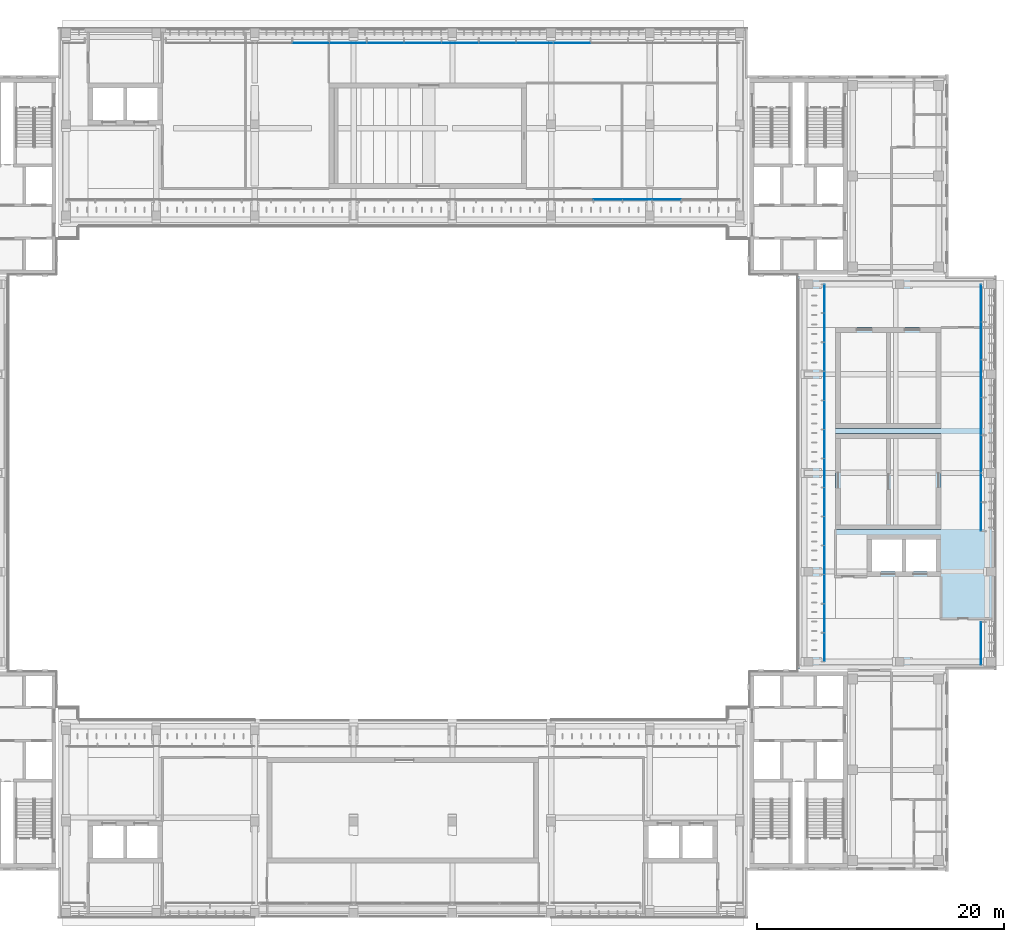
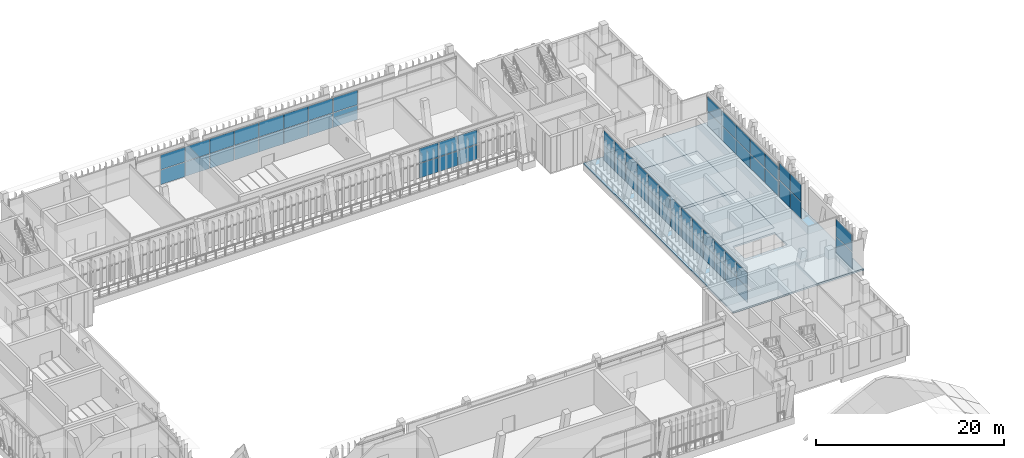
# One storey, part 40 of 74: 64 plates, 3 slabs, 6 elements without a shape of their own.
"""IFC4 building model written with IfcOpenShell, lengths in metres."""

from ifc_helpers import new_model, si_unit, direction, frame, origin, origin_2d, place, context, subcontext, project, spatial, polyline, rectangle, outline, extrude, material, layer, layer_set, type_object, element, aggregate, save


model = new_model("IFC4")

# Units and contexts
model_context = context("Model", 3, precision=1e-05, world=origin(), true_north=direction((0.0, 1.0)))
body_context = subcontext(model_context, "Body", "Model", "MODEL_VIEW")
ifc_project = project(units=[si_unit("LENGTHUNIT", "METRE"), si_unit("AREAUNIT", "SQUARE_METRE"), si_unit("VOLUMEUNIT", "CUBIC_METRE"), si_unit("PLANEANGLEUNIT", "RADIAN"), si_unit("MASSUNIT", "GRAM", prefix="KILO")], contexts=[model_context])

# Site, building, storey
site_placement = place(None, origin())
site = spatial("IfcSite", under=ifc_project, at=site_placement, CompositionType="ELEMENT")
building_placement = place(site_placement, origin())
building = spatial("IfcBuilding", under=site, at=building_placement, Name="Lantern Court Media Centre", CompositionType="ELEMENT")
storey_placement = place(building_placement, frame((0.0, 0.0, 19.199951171875)))
storey = spatial("IfcBuildingStorey", under=building, at=storey_placement, Name="L04", CompositionType="ELEMENT", Elevation=19.199951171875)

# Curtain wall, plates
ifc_material_1 = material(Name="Curtain wall bay 2400")
curtain_wall_type_1 = type_object("IfcCurtainWallType", Name="Curtain wall bay 2400", PredefinedType="NOTDEFINED", material=ifc_material_1)
curtain_wall_1_placement = place(storey_placement, origin())
curtain_wall_1 = element("IfcCurtainWall", 1, at=curtain_wall_1_placement, inside=storey, type_object=curtain_wall_type_1, Name="Curtain wall N inner L04", PredefinedType="NOTDEFINED")
ifc_material_2 = material(Name="Low-iron double glazed unit glass", Category="glass")
ifc_layer_1 = layer(ifc_material_2, 0.02392578125)
ifc_layer_set_1 = layer_set([ifc_layer_1], Name="Low-iron double glazed unit glass")
plate_type_1 = type_object("IfcPlateType", Name="Curtain wall glazing unit 24", PredefinedType="CURTAIN_PANEL", material=ifc_layer_set_1)
plate_1_placement = place(storey_placement, frame((68.617431640625, 102.14990234375, 0.050048828125), z_axis=(0.0, 0.0, 1.0), x_axis=(1.0, 0.0, 0.0)))
plate_1 = element("IfcPlate", 2, at=plate_1_placement, type_object=plate_type_1, Name="CW2 panel 19.1", PredefinedType="CURTAIN_PANEL", context=body_context, shape_type="SweptSolid", body=[
    extrude(rectangle(XDim=2.323974609375, YDim=0.02392578125, at=origin_2d()), origin(), (0.0, 0.0, 1.0), 1.89990234375),
])
plate_2_placement = place(storey_placement, frame((68.617431640625, 102.14990234375, 2.0), z_axis=(0.0, 0.0, 1.0), x_axis=(1.0, 0.0, 0.0)))
plate_2 = element("IfcPlate", 3, at=plate_2_placement, type_object=plate_type_1, Name="CW2 panel 19.2", PredefinedType="CURTAIN_PANEL", context=body_context, shape_type="SweptSolid", body=[
    extrude(rectangle(XDim=2.323974609375, YDim=0.02392578125, at=origin_2d()), origin(), (0.0, 0.0, 1.0), 1.89990234375),
])
plate_3_placement = place(storey_placement, frame((70.9912109375, 102.14990234375, 0.050048828125), z_axis=(0.0, 0.0, 1.0), x_axis=(1.0, 0.0, 0.0)))
plate_3 = element("IfcPlate", 4, at=plate_3_placement, type_object=plate_type_1, Name="CW2 panel 20.1", PredefinedType="CURTAIN_PANEL", context=body_context, shape_type="SweptSolid", body=[
    extrude(rectangle(XDim=2.323974609375, YDim=0.02392578125, at=origin_2d()), origin(), (0.0, 0.0, 1.0), 1.89990234375),
])
plate_4_placement = place(storey_placement, frame((70.9912109375, 102.14990234375, 2.0), z_axis=(0.0, 0.0, 1.0), x_axis=(1.0, 0.0, 0.0)))
plate_4 = element("IfcPlate", 5, at=plate_4_placement, type_object=plate_type_1, Name="CW2 panel 20.2", PredefinedType="CURTAIN_PANEL", context=body_context, shape_type="SweptSolid", body=[
    extrude(rectangle(XDim=2.323974609375, YDim=0.02392578125, at=origin_2d()), origin(), (0.0, 0.0, 1.0), 1.89990234375),
])
plate_5_placement = place(storey_placement, frame((73.365234375, 102.14990234375, 0.050048828125), z_axis=(0.0, 0.0, 1.0), x_axis=(1.0, 0.0, 0.0)))
plate_5 = element("IfcPlate", 6, at=plate_5_placement, type_object=plate_type_1, Name="CW2 panel 21.1", PredefinedType="CURTAIN_PANEL", context=body_context, shape_type="SweptSolid", body=[
    extrude(rectangle(XDim=2.323974609375, YDim=0.02392578125, at=origin_2d()), origin(), (0.0, 0.0, 1.0), 1.89990234375),
])
plate_6_placement = place(storey_placement, frame((73.365234375, 102.14990234375, 2.0), z_axis=(0.0, 0.0, 1.0), x_axis=(1.0, 0.0, 0.0)))
plate_6 = element("IfcPlate", 7, at=plate_6_placement, type_object=plate_type_1, Name="CW2 panel 21.2", PredefinedType="CURTAIN_PANEL", context=body_context, shape_type="SweptSolid", body=[
    extrude(rectangle(XDim=2.323974609375, YDim=0.02392578125, at=origin_2d()), origin(), (0.0, 0.0, 1.0), 1.89990234375),
])
aggregate(curtain_wall_1, [plate_1, plate_2, plate_3, plate_4, plate_5, plate_6])

curtain_wall_2_placement = place(storey_placement, origin())
curtain_wall_2 = element("IfcCurtainWall", 8, at=curtain_wall_2_placement, inside=storey, type_object=curtain_wall_type_1, Name="Curtain wall E inner L04", PredefinedType="NOTDEFINED")
plate_7_placement = place(storey_placement, frame((86.14990234375, 65.889404296875, 0.050048828125), z_axis=(0.0, 0.0, 1.0), x_axis=(0.0, 1.0, 0.0)))
plate_7 = element("IfcPlate", 9, at=plate_7_placement, type_object=plate_type_1, Name="CW2 panel 1.1", PredefinedType="CURTAIN_PANEL", context=body_context, shape_type="SweptSolid", body=[
    extrude(rectangle(XDim=2.27880859375, YDim=0.02392578125, at=origin_2d()), origin(), (0.0, 0.0, 1.0), 1.89990234375),
])
plate_8_placement = place(storey_placement, frame((86.14990234375, 65.889404296875, 2.0), z_axis=(0.0, 0.0, 1.0), x_axis=(0.0, 1.0, 0.0)))
plate_8 = element("IfcPlate", 10, at=plate_8_placement, type_object=plate_type_1, Name="CW2 panel 1.2", PredefinedType="CURTAIN_PANEL", context=body_context, shape_type="SweptSolid", body=[
    extrude(rectangle(XDim=2.27880859375, YDim=0.02392578125, at=origin_2d()), origin(), (0.0, 0.0, 1.0), 1.89990234375),
])
plate_9_placement = place(storey_placement, frame((86.14990234375, 68.230712890625, 0.050048828125), z_axis=(0.0, 0.0, 1.0), x_axis=(0.0, 1.0, 0.0)))
plate_9 = element("IfcPlate", 11, at=plate_9_placement, type_object=plate_type_1, Name="CW2 panel 2.1", PredefinedType="CURTAIN_PANEL", context=body_context, shape_type="SweptSolid", body=[
    extrude(rectangle(XDim=2.303955078125, YDim=0.02392578125, at=origin_2d()), origin(), (0.0, 0.0, 1.0), 1.89990234375),
])
plate_10_placement = place(storey_placement, frame((86.14990234375, 68.230712890625, 2.0), z_axis=(0.0, 0.0, 1.0), x_axis=(0.0, 1.0, 0.0)))
plate_10 = element("IfcPlate", 12, at=plate_10_placement, type_object=plate_type_1, Name="CW2 panel 2.2", PredefinedType="CURTAIN_PANEL", context=body_context, shape_type="SweptSolid", body=[
    extrude(rectangle(XDim=2.303955078125, YDim=0.02392578125, at=origin_2d()), origin(), (0.0, 0.0, 1.0), 1.89990234375),
])
plate_11_placement = place(storey_placement, frame((86.14990234375, 70.584716796875, 0.050048828125), z_axis=(0.0, 0.0, 1.0), x_axis=(0.0, 1.0, 0.0)))
plate_11 = element("IfcPlate", 13, at=plate_11_placement, type_object=plate_type_1, Name="CW2 panel 3.1", PredefinedType="CURTAIN_PANEL", context=body_context, shape_type="SweptSolid", body=[
    extrude(rectangle(XDim=2.303955078125, YDim=0.02392578125, at=origin_2d()), origin(), (0.0, 0.0, 1.0), 1.89990234375),
])
plate_12_placement = place(storey_placement, frame((86.14990234375, 70.584716796875, 2.0), z_axis=(0.0, 0.0, 1.0), x_axis=(0.0, 1.0, 0.0)))
plate_12 = element("IfcPlate", 14, at=plate_12_placement, type_object=plate_type_1, Name="CW2 panel 3.2", PredefinedType="CURTAIN_PANEL", context=body_context, shape_type="SweptSolid", body=[
    extrude(rectangle(XDim=2.303955078125, YDim=0.02392578125, at=origin_2d()), origin(), (0.0, 0.0, 1.0), 1.89990234375),
])
plate_13_placement = place(storey_placement, frame((86.14990234375, 72.9384765625, 0.050048828125), z_axis=(0.0, 0.0, 1.0), x_axis=(0.0, 1.0, 0.0)))
plate_13 = element("IfcPlate", 15, at=plate_13_placement, type_object=plate_type_1, Name="CW2 panel 4.1", PredefinedType="CURTAIN_PANEL", context=body_context, shape_type="SweptSolid", body=[
    extrude(rectangle(XDim=2.303955078125, YDim=0.02392578125, at=origin_2d()), origin(), (0.0, 0.0, 1.0), 1.89990234375),
])
plate_14_placement = place(storey_placement, frame((86.14990234375, 72.9384765625, 2.0), z_axis=(0.0, 0.0, 1.0), x_axis=(0.0, 1.0, 0.0)))
plate_14 = element("IfcPlate", 16, at=plate_14_placement, type_object=plate_type_1, Name="CW2 panel 4.2", PredefinedType="CURTAIN_PANEL", context=body_context, shape_type="SweptSolid", body=[
    extrude(rectangle(XDim=2.303955078125, YDim=0.02392578125, at=origin_2d()), origin(), (0.0, 0.0, 1.0), 1.89990234375),
])
plate_15_placement = place(storey_placement, frame((86.14990234375, 75.292236328125, 0.050048828125), z_axis=(0.0, 0.0, 1.0), x_axis=(0.0, 1.0, 0.0)))
plate_15 = element("IfcPlate", 17, at=plate_15_placement, type_object=plate_type_1, Name="CW2 panel 5.1", PredefinedType="CURTAIN_PANEL", context=body_context, shape_type="SweptSolid", body=[
    extrude(rectangle(XDim=2.303955078125, YDim=0.02392578125, at=origin_2d()), origin(), (0.0, 0.0, 1.0), 1.89990234375),
])
plate_16_placement = place(storey_placement, frame((86.14990234375, 75.292236328125, 2.0), z_axis=(0.0, 0.0, 1.0), x_axis=(0.0, 1.0, 0.0)))
plate_16 = element("IfcPlate", 18, at=plate_16_placement, type_object=plate_type_1, Name="CW2 panel 5.2", PredefinedType="CURTAIN_PANEL", context=body_context, shape_type="SweptSolid", body=[
    extrude(rectangle(XDim=2.303955078125, YDim=0.02392578125, at=origin_2d()), origin(), (0.0, 0.0, 1.0), 1.89990234375),
])
plate_17_placement = place(storey_placement, frame((86.14990234375, 77.646240234375, 0.050048828125), z_axis=(0.0, 0.0, 1.0), x_axis=(0.0, 1.0, 0.0)))
plate_17 = element("IfcPlate", 19, at=plate_17_placement, type_object=plate_type_1, Name="CW2 panel 6.1", PredefinedType="CURTAIN_PANEL", context=body_context, shape_type="SweptSolid", body=[
    extrude(rectangle(XDim=2.303955078125, YDim=0.02392578125, at=origin_2d()), origin(), (0.0, 0.0, 1.0), 1.89990234375),
])
plate_18_placement = place(storey_placement, frame((86.14990234375, 77.646240234375, 2.0), z_axis=(0.0, 0.0, 1.0), x_axis=(0.0, 1.0, 0.0)))
plate_18 = element("IfcPlate", 20, at=plate_18_placement, type_object=plate_type_1, Name="CW2 panel 6.2", PredefinedType="CURTAIN_PANEL", context=body_context, shape_type="SweptSolid", body=[
    extrude(rectangle(XDim=2.303955078125, YDim=0.02392578125, at=origin_2d()), origin(), (0.0, 0.0, 1.0), 1.89990234375),
])
plate_19_placement = place(storey_placement, frame((86.14990234375, 80.0, 0.050048828125), z_axis=(0.0, 0.0, 1.0), x_axis=(0.0, 1.0, 0.0)))
plate_19 = element("IfcPlate", 21, at=plate_19_placement, type_object=plate_type_1, Name="CW2 panel 7.1", PredefinedType="CURTAIN_PANEL", context=body_context, shape_type="SweptSolid", body=[
    extrude(rectangle(XDim=2.303955078125, YDim=0.02392578125, at=origin_2d()), origin(), (0.0, 0.0, 1.0), 1.89990234375),
])
plate_20_placement = place(storey_placement, frame((86.14990234375, 80.0, 2.0), z_axis=(0.0, 0.0, 1.0), x_axis=(0.0, 1.0, 0.0)))
plate_20 = element("IfcPlate", 22, at=plate_20_placement, type_object=plate_type_1, Name="CW2 panel 7.2", PredefinedType="CURTAIN_PANEL", context=body_context, shape_type="SweptSolid", body=[
    extrude(rectangle(XDim=2.303955078125, YDim=0.02392578125, at=origin_2d()), origin(), (0.0, 0.0, 1.0), 1.89990234375),
])
plate_21_placement = place(storey_placement, frame((86.14990234375, 82.353759765625, 0.050048828125), z_axis=(0.0, 0.0, 1.0), x_axis=(0.0, 1.0, 0.0)))
plate_21 = element("IfcPlate", 23, at=plate_21_placement, type_object=plate_type_1, Name="CW2 panel 8.1", PredefinedType="CURTAIN_PANEL", context=body_context, shape_type="SweptSolid", body=[
    extrude(rectangle(XDim=2.303955078125, YDim=0.02392578125, at=origin_2d()), origin(), (0.0, 0.0, 1.0), 1.89990234375),
])
plate_22_placement = place(storey_placement, frame((86.14990234375, 82.353759765625, 2.0), z_axis=(0.0, 0.0, 1.0), x_axis=(0.0, 1.0, 0.0)))
plate_22 = element("IfcPlate", 24, at=plate_22_placement, type_object=plate_type_1, Name="CW2 panel 8.2", PredefinedType="CURTAIN_PANEL", context=body_context, shape_type="SweptSolid", body=[
    extrude(rectangle(XDim=2.303955078125, YDim=0.02392578125, at=origin_2d()), origin(), (0.0, 0.0, 1.0), 1.89990234375),
])
plate_23_placement = place(storey_placement, frame((86.14990234375, 84.707763671875, 0.050048828125), z_axis=(0.0, 0.0, 1.0), x_axis=(0.0, 1.0, 0.0)))
plate_23 = element("IfcPlate", 25, at=plate_23_placement, type_object=plate_type_1, Name="CW2 panel 9.1", PredefinedType="CURTAIN_PANEL", context=body_context, shape_type="SweptSolid", body=[
    extrude(rectangle(XDim=2.303955078125, YDim=0.02392578125, at=origin_2d()), origin(), (0.0, 0.0, 1.0), 1.89990234375),
])
plate_24_placement = place(storey_placement, frame((86.14990234375, 84.707763671875, 2.0), z_axis=(0.0, 0.0, 1.0), x_axis=(0.0, 1.0, 0.0)))
plate_24 = element("IfcPlate", 26, at=plate_24_placement, type_object=plate_type_1, Name="CW2 panel 9.2", PredefinedType="CURTAIN_PANEL", context=body_context, shape_type="SweptSolid", body=[
    extrude(rectangle(XDim=2.303955078125, YDim=0.02392578125, at=origin_2d()), origin(), (0.0, 0.0, 1.0), 1.89990234375),
])
plate_25_placement = place(storey_placement, frame((86.14990234375, 87.0615234375, 0.050048828125), z_axis=(0.0, 0.0, 1.0), x_axis=(0.0, 1.0, 0.0)))
plate_25 = element("IfcPlate", 27, at=plate_25_placement, type_object=plate_type_1, Name="CW2 panel 10.1", PredefinedType="CURTAIN_PANEL", context=body_context, shape_type="SweptSolid", body=[
    extrude(rectangle(XDim=2.303955078125, YDim=0.02392578125, at=origin_2d()), origin(), (0.0, 0.0, 1.0), 1.89990234375),
])
plate_26_placement = place(storey_placement, frame((86.14990234375, 87.0615234375, 2.0), z_axis=(0.0, 0.0, 1.0), x_axis=(0.0, 1.0, 0.0)))
plate_26 = element("IfcPlate", 28, at=plate_26_placement, type_object=plate_type_1, Name="CW2 panel 10.2", PredefinedType="CURTAIN_PANEL", context=body_context, shape_type="SweptSolid", body=[
    extrude(rectangle(XDim=2.303955078125, YDim=0.02392578125, at=origin_2d()), origin(), (0.0, 0.0, 1.0), 1.89990234375),
])
plate_27_placement = place(storey_placement, frame((86.14990234375, 89.415283203125, 0.050048828125), z_axis=(0.0, 0.0, 1.0), x_axis=(0.0, 1.0, 0.0)))
plate_27 = element("IfcPlate", 29, at=plate_27_placement, type_object=plate_type_1, Name="CW2 panel 11.1", PredefinedType="CURTAIN_PANEL", context=body_context, shape_type="SweptSolid", body=[
    extrude(rectangle(XDim=2.303955078125, YDim=0.02392578125, at=origin_2d()), origin(), (0.0, 0.0, 1.0), 1.89990234375),
])
plate_28_placement = place(storey_placement, frame((86.14990234375, 89.415283203125, 2.0), z_axis=(0.0, 0.0, 1.0), x_axis=(0.0, 1.0, 0.0)))
plate_28 = element("IfcPlate", 30, at=plate_28_placement, type_object=plate_type_1, Name="CW2 panel 11.2", PredefinedType="CURTAIN_PANEL", context=body_context, shape_type="SweptSolid", body=[
    extrude(rectangle(XDim=2.303955078125, YDim=0.02392578125, at=origin_2d()), origin(), (0.0, 0.0, 1.0), 1.89990234375),
])
plate_29_placement = place(storey_placement, frame((86.14990234375, 91.769287109375, 0.050048828125), z_axis=(0.0, 0.0, 1.0), x_axis=(0.0, 1.0, 0.0)))
plate_29 = element("IfcPlate", 31, at=plate_29_placement, type_object=plate_type_1, Name="CW2 panel 12.1", PredefinedType="CURTAIN_PANEL", context=body_context, shape_type="SweptSolid", body=[
    extrude(rectangle(XDim=2.303955078125, YDim=0.02392578125, at=origin_2d()), origin(), (0.0, 0.0, 1.0), 1.89990234375),
])
plate_30_placement = place(storey_placement, frame((86.14990234375, 91.769287109375, 2.0), z_axis=(0.0, 0.0, 1.0), x_axis=(0.0, 1.0, 0.0)))
plate_30 = element("IfcPlate", 32, at=plate_30_placement, type_object=plate_type_1, Name="CW2 panel 12.2", PredefinedType="CURTAIN_PANEL", context=body_context, shape_type="SweptSolid", body=[
    extrude(rectangle(XDim=2.303955078125, YDim=0.02392578125, at=origin_2d()), origin(), (0.0, 0.0, 1.0), 1.89990234375),
])
plate_31_placement = place(storey_placement, frame((86.14990234375, 94.110595703125, 0.050048828125), z_axis=(0.0, 0.0, 1.0), x_axis=(0.0, 1.0, 0.0)))
plate_31 = element("IfcPlate", 33, at=plate_31_placement, type_object=plate_type_1, Name="CW2 panel 13.1", PredefinedType="CURTAIN_PANEL", context=body_context, shape_type="SweptSolid", body=[
    extrude(rectangle(XDim=2.27880859375, YDim=0.02392578125, at=origin_2d()), origin(), (0.0, 0.0, 1.0), 1.89990234375),
])
plate_32_placement = place(storey_placement, frame((86.14990234375, 94.110595703125, 2.0), z_axis=(0.0, 0.0, 1.0), x_axis=(0.0, 1.0, 0.0)))
plate_32 = element("IfcPlate", 34, at=plate_32_placement, type_object=plate_type_1, Name="CW2 panel 13.2", PredefinedType="CURTAIN_PANEL", context=body_context, shape_type="SweptSolid", body=[
    extrude(rectangle(XDim=2.27880859375, YDim=0.02392578125, at=origin_2d()), origin(), (0.0, 0.0, 1.0), 1.89990234375),
])
aggregate(curtain_wall_2, [plate_7, plate_8, plate_9, plate_10, plate_11, plate_12, plate_13, plate_14, plate_15, plate_16, plate_17, plate_18, plate_19, plate_20, plate_21, plate_22, plate_23, plate_24, plate_25, plate_26, plate_27, plate_28, plate_29, plate_30, plate_31, plate_32])

ifc_material_3 = material(Name="Curtain wall bay 3000")
curtain_wall_type_2 = type_object("IfcCurtainWallType", Name="Curtain wall bay 3000", PredefinedType="NOTDEFINED", material=ifc_material_3)
curtain_wall_3_placement = place(storey_placement, origin())
curtain_wall_3 = element("IfcCurtainWall", 35, at=curtain_wall_3_placement, inside=storey, type_object=curtain_wall_type_2, Name="Curtain wall N outer L04", PredefinedType="NOTDEFINED")
ifc_layer_2 = layer(ifc_material_2, 0.028076171875)
ifc_layer_set_2 = layer_set([ifc_layer_2], Name="Low-iron double glazed unit glass")
plate_type_2 = type_object("IfcPlateType", Name="Curtain wall glazing unit 28", PredefinedType="CURTAIN_PANEL", material=ifc_layer_set_2)
plate_33_placement = place(storey_placement, frame((44.53466796875, 114.85009765625, 0.06005859375), z_axis=(0.0, 0.0, 1.0), x_axis=(1.0, 0.0, 0.0)))
plate_33 = element("IfcPlate", 36, at=plate_33_placement, type_object=plate_type_2, Name="CW1 panel 2.1", PredefinedType="CURTAIN_PANEL", context=body_context, shape_type="SweptSolid", body=[
    extrude(rectangle(XDim=2.963134765625, YDim=0.028076171875, at=origin_2d()), origin(), (0.0, 0.0, 1.0), 1.885009765625),
])
plate_34_placement = place(storey_placement, frame((44.53466796875, 114.85009765625, 2.0048828125), z_axis=(0.0, 0.0, 1.0), x_axis=(1.0, 0.0, 0.0)))
plate_34 = element("IfcPlate", 37, at=plate_34_placement, type_object=plate_type_2, Name="CW1 panel 2.2", PredefinedType="CURTAIN_PANEL", context=body_context, shape_type="SweptSolid", body=[
    extrude(rectangle(XDim=2.963134765625, YDim=0.028076171875, at=origin_2d()), origin(), (0.0, 0.0, 1.0), 1.885009765625),
])
plate_35_placement = place(storey_placement, frame((47.5576171875, 114.85009765625, 0.06005859375), z_axis=(0.0, 0.0, 1.0), x_axis=(1.0, 0.0, 0.0)))
plate_35 = element("IfcPlate", 38, at=plate_35_placement, type_object=plate_type_2, Name="CW1 panel 3.1", PredefinedType="CURTAIN_PANEL", context=body_context, shape_type="SweptSolid", body=[
    extrude(rectangle(XDim=2.963134765625, YDim=0.028076171875, at=origin_2d()), origin(), (0.0, 0.0, 1.0), 1.885009765625),
])
plate_36_placement = place(storey_placement, frame((47.5576171875, 114.85009765625, 2.0048828125), z_axis=(0.0, 0.0, 1.0), x_axis=(1.0, 0.0, 0.0)))
plate_36 = element("IfcPlate", 39, at=plate_36_placement, type_object=plate_type_2, Name="CW1 panel 3.2", PredefinedType="CURTAIN_PANEL", context=body_context, shape_type="SweptSolid", body=[
    extrude(rectangle(XDim=2.963134765625, YDim=0.028076171875, at=origin_2d()), origin(), (0.0, 0.0, 1.0), 1.885009765625),
])
plate_37_placement = place(storey_placement, frame((50.580810546875, 114.85009765625, 0.06005859375), z_axis=(0.0, 0.0, 1.0), x_axis=(1.0, 0.0, 0.0)))
plate_37 = element("IfcPlate", 40, at=plate_37_placement, type_object=plate_type_2, Name="CW1 panel 4.1", PredefinedType="CURTAIN_PANEL", context=body_context, shape_type="SweptSolid", body=[
    extrude(rectangle(XDim=2.963134765625, YDim=0.028076171875, at=origin_2d()), origin(), (0.0, 0.0, 1.0), 1.885009765625),
])
plate_38_placement = place(storey_placement, frame((50.580810546875, 114.85009765625, 2.0048828125), z_axis=(0.0, 0.0, 1.0), x_axis=(1.0, 0.0, 0.0)))
plate_38 = element("IfcPlate", 41, at=plate_38_placement, type_object=plate_type_2, Name="CW1 panel 4.2", PredefinedType="CURTAIN_PANEL", context=body_context, shape_type="SweptSolid", body=[
    extrude(rectangle(XDim=2.963134765625, YDim=0.028076171875, at=origin_2d()), origin(), (0.0, 0.0, 1.0), 1.885009765625),
])
plate_39_placement = place(storey_placement, frame((53.603759765625, 114.85009765625, 0.06005859375), z_axis=(0.0, 0.0, 1.0), x_axis=(1.0, 0.0, 0.0)))
plate_39 = element("IfcPlate", 42, at=plate_39_placement, type_object=plate_type_2, Name="CW1 panel 5.1", PredefinedType="CURTAIN_PANEL", context=body_context, shape_type="SweptSolid", body=[
    extrude(rectangle(XDim=2.963134765625, YDim=0.028076171875, at=origin_2d()), origin(), (0.0, 0.0, 1.0), 1.885009765625),
])
plate_40_placement = place(storey_placement, frame((53.603759765625, 114.85009765625, 2.0048828125), z_axis=(0.0, 0.0, 1.0), x_axis=(1.0, 0.0, 0.0)))
plate_40 = element("IfcPlate", 43, at=plate_40_placement, type_object=plate_type_2, Name="CW1 panel 5.2", PredefinedType="CURTAIN_PANEL", context=body_context, shape_type="SweptSolid", body=[
    extrude(rectangle(XDim=2.963134765625, YDim=0.028076171875, at=origin_2d()), origin(), (0.0, 0.0, 1.0), 1.885009765625),
])
plate_41_placement = place(storey_placement, frame((56.626953125, 114.85009765625, 0.06005859375), z_axis=(0.0, 0.0, 1.0), x_axis=(1.0, 0.0, 0.0)))
plate_41 = element("IfcPlate", 44, at=plate_41_placement, type_object=plate_type_2, Name="CW1 panel 6.1", PredefinedType="CURTAIN_PANEL", context=body_context, shape_type="SweptSolid", body=[
    extrude(rectangle(XDim=2.963134765625, YDim=0.028076171875, at=origin_2d()), origin(), (0.0, 0.0, 1.0), 1.885009765625),
])
plate_42_placement = place(storey_placement, frame((56.626953125, 114.85009765625, 2.0048828125), z_axis=(0.0, 0.0, 1.0), x_axis=(1.0, 0.0, 0.0)))
plate_42 = element("IfcPlate", 45, at=plate_42_placement, type_object=plate_type_2, Name="CW1 panel 6.2", PredefinedType="CURTAIN_PANEL", context=body_context, shape_type="SweptSolid", body=[
    extrude(rectangle(XDim=2.963134765625, YDim=0.028076171875, at=origin_2d()), origin(), (0.0, 0.0, 1.0), 1.885009765625),
])
plate_43_placement = place(storey_placement, frame((59.64990234375, 114.85009765625, 0.06005859375), z_axis=(0.0, 0.0, 1.0), x_axis=(1.0, 0.0, 0.0)))
plate_43 = element("IfcPlate", 46, at=plate_43_placement, type_object=plate_type_2, Name="CW1 panel 7.1", PredefinedType="CURTAIN_PANEL", context=body_context, shape_type="SweptSolid", body=[
    extrude(rectangle(XDim=2.963134765625, YDim=0.028076171875, at=origin_2d()), origin(), (0.0, 0.0, 1.0), 1.885009765625),
])
plate_44_placement = place(storey_placement, frame((59.64990234375, 114.85009765625, 2.0048828125), z_axis=(0.0, 0.0, 1.0), x_axis=(1.0, 0.0, 0.0)))
plate_44 = element("IfcPlate", 47, at=plate_44_placement, type_object=plate_type_2, Name="CW1 panel 7.2", PredefinedType="CURTAIN_PANEL", context=body_context, shape_type="SweptSolid", body=[
    extrude(rectangle(XDim=2.963134765625, YDim=0.028076171875, at=origin_2d()), origin(), (0.0, 0.0, 1.0), 1.885009765625),
])
plate_45_placement = place(storey_placement, frame((62.673095703125, 114.85009765625, 0.06005859375), z_axis=(0.0, 0.0, 1.0), x_axis=(1.0, 0.0, 0.0)))
plate_45 = element("IfcPlate", 48, at=plate_45_placement, type_object=plate_type_2, Name="CW1 panel 8.1", PredefinedType="CURTAIN_PANEL", context=body_context, shape_type="SweptSolid", body=[
    extrude(rectangle(XDim=2.963134765625, YDim=0.028076171875, at=origin_2d()), origin(), (0.0, 0.0, 1.0), 1.885009765625),
])
plate_46_placement = place(storey_placement, frame((62.673095703125, 114.85009765625, 2.0048828125), z_axis=(0.0, 0.0, 1.0), x_axis=(1.0, 0.0, 0.0)))
plate_46 = element("IfcPlate", 49, at=plate_46_placement, type_object=plate_type_2, Name="CW1 panel 8.2", PredefinedType="CURTAIN_PANEL", context=body_context, shape_type="SweptSolid", body=[
    extrude(rectangle(XDim=2.963134765625, YDim=0.028076171875, at=origin_2d()), origin(), (0.0, 0.0, 1.0), 1.885009765625),
])
plate_47_placement = place(storey_placement, frame((65.696044921875, 114.85009765625, 0.06005859375), z_axis=(0.0, 0.0, 1.0), x_axis=(1.0, 0.0, 0.0)))
plate_47 = element("IfcPlate", 50, at=plate_47_placement, type_object=plate_type_2, Name="CW1 panel 9.1", PredefinedType="CURTAIN_PANEL", context=body_context, shape_type="SweptSolid", body=[
    extrude(rectangle(XDim=2.963134765625, YDim=0.028076171875, at=origin_2d()), origin(), (0.0, 0.0, 1.0), 1.885009765625),
])
plate_48_placement = place(storey_placement, frame((65.696044921875, 114.85009765625, 2.0048828125), z_axis=(0.0, 0.0, 1.0), x_axis=(1.0, 0.0, 0.0)))
plate_48 = element("IfcPlate", 51, at=plate_48_placement, type_object=plate_type_2, Name="CW1 panel 9.2", PredefinedType="CURTAIN_PANEL", context=body_context, shape_type="SweptSolid", body=[
    extrude(rectangle(XDim=2.963134765625, YDim=0.028076171875, at=origin_2d()), origin(), (0.0, 0.0, 1.0), 1.885009765625),
])
aggregate(curtain_wall_3, [plate_33, plate_34, plate_35, plate_36, plate_37, plate_38, plate_39, plate_40, plate_41, plate_42, plate_43, plate_44, plate_45, plate_46, plate_47, plate_48])

curtain_wall_4_placement = place(storey_placement, origin())
curtain_wall_4 = element("IfcCurtainWall", 52, at=curtain_wall_4_placement, inside=storey, type_object=curtain_wall_type_2, Name="Curtain wall E outer L04", PredefinedType="NOTDEFINED")
plate_49_placement = place(storey_placement, frame((98.85009765625, 66.18505859375, 0.06005859375), z_axis=(0.0, 0.0, 1.0), x_axis=(0.0, 1.0, 0.0)))
plate_49 = element("IfcPlate", 53, at=plate_49_placement, type_object=plate_type_2, Name="CW1 panel 1.1", PredefinedType="CURTAIN_PANEL", context=body_context, shape_type="SweptSolid", body=[
    extrude(rectangle(XDim=3.409912109375, YDim=0.028076171875, at=origin_2d()), origin(), (0.0, 0.0, 1.0), 2.199951171875),
])
plate_50_placement = place(storey_placement, frame((98.85009765625, 66.18505859375, 2.3203125), z_axis=(0.0, 0.0, 1.0), x_axis=(0.0, 1.0, 0.0)))
plate_50 = element("IfcPlate", 54, at=plate_50_placement, type_object=plate_type_2, Name="CW1 panel 1.2", PredefinedType="CURTAIN_PANEL", context=body_context, shape_type="SweptSolid", body=[
    extrude(rectangle(XDim=3.409912109375, YDim=0.028076171875, at=origin_2d()), origin(), (0.0, 0.0, 1.0), 2.199951171875),
])
aggregate(curtain_wall_4, [plate_49, plate_50])

curtain_wall_5_placement = place(storey_placement, origin())
curtain_wall_5 = element("IfcCurtainWall", 55, at=curtain_wall_5_placement, inside=storey, type_object=curtain_wall_type_2, Name="Curtain wall E outer L04", PredefinedType="NOTDEFINED")
plate_51_placement = place(storey_placement, frame((98.85009765625, 76.452392578125, 0.06005859375), z_axis=(0.0, 0.0, 1.0), x_axis=(0.0, 1.0, 0.0)))
plate_51 = element("IfcPlate", 56, at=plate_51_placement, type_object=plate_type_2, Name="CW1 panel 1.1", PredefinedType="CURTAIN_PANEL", context=body_context, shape_type="SweptSolid", body=[
    extrude(rectangle(XDim=2.284912109375, YDim=0.028076171875, at=origin_2d()), origin(), (0.0, 0.0, 1.0), 2.199951171875),
])
plate_52_placement = place(storey_placement, frame((98.85009765625, 76.452392578125, 2.3203125), z_axis=(0.0, 0.0, 1.0), x_axis=(0.0, 1.0, 0.0)))
plate_52 = element("IfcPlate", 57, at=plate_52_placement, type_object=plate_type_2, Name="CW1 panel 1.2", PredefinedType="CURTAIN_PANEL", context=body_context, shape_type="SweptSolid", body=[
    extrude(rectangle(XDim=2.284912109375, YDim=0.028076171875, at=origin_2d()), origin(), (0.0, 0.0, 1.0), 2.199951171875),
])
plate_53_placement = place(storey_placement, frame((98.85009765625, 78.797607421875, 0.06005859375), z_axis=(0.0, 0.0, 1.0), x_axis=(0.0, 1.0, 0.0)))
plate_53 = element("IfcPlate", 58, at=plate_53_placement, type_object=plate_type_2, Name="CW1 panel 2.1", PredefinedType="CURTAIN_PANEL", context=body_context, shape_type="SweptSolid", body=[
    extrude(rectangle(XDim=2.284912109375, YDim=0.028076171875, at=origin_2d()), origin(), (0.0, 0.0, 1.0), 2.199951171875),
])
plate_54_placement = place(storey_placement, frame((98.85009765625, 78.797607421875, 2.3203125), z_axis=(0.0, 0.0, 1.0), x_axis=(0.0, 1.0, 0.0)))
plate_54 = element("IfcPlate", 59, at=plate_54_placement, type_object=plate_type_2, Name="CW1 panel 2.2", PredefinedType="CURTAIN_PANEL", context=body_context, shape_type="SweptSolid", body=[
    extrude(rectangle(XDim=2.284912109375, YDim=0.028076171875, at=origin_2d()), origin(), (0.0, 0.0, 1.0), 2.199951171875),
])
aggregate(curtain_wall_5, [plate_51, plate_52, plate_53, plate_54])

curtain_wall_6_placement = place(storey_placement, origin())
curtain_wall_6 = element("IfcCurtainWall", 60, at=curtain_wall_6_placement, inside=storey, type_object=curtain_wall_type_2, Name="Curtain wall E outer L04", PredefinedType="NOTDEFINED")
plate_55_placement = place(storey_placement, frame((98.85009765625, 81.544921875, 0.06005859375), z_axis=(0.0, 0.0, 1.0), x_axis=(0.0, 1.0, 0.0)))
plate_55 = element("IfcPlate", 61, at=plate_55_placement, type_object=plate_type_2, Name="CW1 panel 1.1", PredefinedType="CURTAIN_PANEL", context=body_context, shape_type="SweptSolid", body=[
    extrude(rectangle(XDim=2.969970703125, YDim=0.028076171875, at=origin_2d()), origin(), (0.0, 0.0, 1.0), 1.885009765625),
])
plate_56_placement = place(storey_placement, frame((98.85009765625, 81.544921875, 2.0048828125), z_axis=(0.0, 0.0, 1.0), x_axis=(0.0, 1.0, 0.0)))
plate_56 = element("IfcPlate", 62, at=plate_56_placement, type_object=plate_type_2, Name="CW1 panel 1.2", PredefinedType="CURTAIN_PANEL", context=body_context, shape_type="SweptSolid", body=[
    extrude(rectangle(XDim=2.969970703125, YDim=0.028076171875, at=origin_2d()), origin(), (0.0, 0.0, 1.0), 1.885009765625),
])
plate_57_placement = place(storey_placement, frame((98.85009765625, 84.590087890625, 0.06005859375), z_axis=(0.0, 0.0, 1.0), x_axis=(0.0, 1.0, 0.0)))
plate_57 = element("IfcPlate", 63, at=plate_57_placement, type_object=plate_type_2, Name="CW1 panel 2.1", PredefinedType="CURTAIN_PANEL", context=body_context, shape_type="SweptSolid", body=[
    extrude(rectangle(XDim=3.0, YDim=0.028076171875, at=origin_2d()), origin(), (0.0, 0.0, 1.0), 1.885009765625),
])
plate_58_placement = place(storey_placement, frame((98.85009765625, 84.590087890625, 2.0048828125), z_axis=(0.0, 0.0, 1.0), x_axis=(0.0, 1.0, 0.0)))
plate_58 = element("IfcPlate", 64, at=plate_58_placement, type_object=plate_type_2, Name="CW1 panel 2.2", PredefinedType="CURTAIN_PANEL", context=body_context, shape_type="SweptSolid", body=[
    extrude(rectangle(XDim=3.0, YDim=0.028076171875, at=origin_2d()), origin(), (0.0, 0.0, 1.0), 1.885009765625),
])
plate_59_placement = place(storey_placement, frame((98.85009765625, 87.64990234375, 0.06005859375), z_axis=(0.0, 0.0, 1.0), x_axis=(0.0, 1.0, 0.0)))
plate_59 = element("IfcPlate", 65, at=plate_59_placement, type_object=plate_type_2, Name="CW1 panel 3.1", PredefinedType="CURTAIN_PANEL", context=body_context, shape_type="SweptSolid", body=[
    extrude(rectangle(XDim=3.0, YDim=0.028076171875, at=origin_2d()), origin(), (0.0, 0.0, 1.0), 1.885009765625),
])
plate_60_placement = place(storey_placement, frame((98.85009765625, 87.64990234375, 2.0048828125), z_axis=(0.0, 0.0, 1.0), x_axis=(0.0, 1.0, 0.0)))
plate_60 = element("IfcPlate", 66, at=plate_60_placement, type_object=plate_type_2, Name="CW1 panel 3.2", PredefinedType="CURTAIN_PANEL", context=body_context, shape_type="SweptSolid", body=[
    extrude(rectangle(XDim=3.0, YDim=0.028076171875, at=origin_2d()), origin(), (0.0, 0.0, 1.0), 1.885009765625),
])
plate_61_placement = place(storey_placement, frame((98.85009765625, 90.7099609375, 0.06005859375), z_axis=(0.0, 0.0, 1.0), x_axis=(0.0, 1.0, 0.0)))
plate_61 = element("IfcPlate", 67, at=plate_61_placement, type_object=plate_type_2, Name="CW1 panel 4.1", PredefinedType="CURTAIN_PANEL", context=body_context, shape_type="SweptSolid", body=[
    extrude(rectangle(XDim=3.0, YDim=0.028076171875, at=origin_2d()), origin(), (0.0, 0.0, 1.0), 1.885009765625),
])
plate_62_placement = place(storey_placement, frame((98.85009765625, 90.7099609375, 2.0048828125), z_axis=(0.0, 0.0, 1.0), x_axis=(0.0, 1.0, 0.0)))
plate_62 = element("IfcPlate", 68, at=plate_62_placement, type_object=plate_type_2, Name="CW1 panel 4.2", PredefinedType="CURTAIN_PANEL", context=body_context, shape_type="SweptSolid", body=[
    extrude(rectangle(XDim=3.0, YDim=0.028076171875, at=origin_2d()), origin(), (0.0, 0.0, 1.0), 1.885009765625),
])
plate_63_placement = place(storey_placement, frame((98.85009765625, 93.7548828125, 0.06005859375), z_axis=(0.0, 0.0, 1.0), x_axis=(0.0, 1.0, 0.0)))
plate_63 = element("IfcPlate", 69, at=plate_63_placement, type_object=plate_type_2, Name="CW1 panel 5.1", PredefinedType="CURTAIN_PANEL", context=body_context, shape_type="SweptSolid", body=[
    extrude(rectangle(XDim=2.969970703125, YDim=0.028076171875, at=origin_2d()), origin(), (0.0, 0.0, 1.0), 1.885009765625),
])
plate_64_placement = place(storey_placement, frame((98.85009765625, 93.7548828125, 2.0048828125), z_axis=(0.0, 0.0, 1.0), x_axis=(0.0, 1.0, 0.0)))
plate_64 = element("IfcPlate", 70, at=plate_64_placement, type_object=plate_type_2, Name="CW1 panel 5.2", PredefinedType="CURTAIN_PANEL", context=body_context, shape_type="SweptSolid", body=[
    extrude(rectangle(XDim=2.969970703125, YDim=0.028076171875, at=origin_2d()), origin(), (0.0, 0.0, 1.0), 1.885009765625),
])
aggregate(curtain_wall_6, [plate_55, plate_56, plate_57, plate_58, plate_59, plate_60, plate_61, plate_62, plate_63, plate_64])

# Slabs
ifc_material_4 = material(Name="Concrete C35", Category="concrete")
ifc_layer_3 = layer(ifc_material_4, 0.219970703125)
ifc_layer_set_3 = layer_set([ifc_layer_3], Name="Concrete C35")
slab_type_1 = type_object("IfcSlabType", Name="RC FLOOR SLAB 220", PredefinedType="FLOOR", material=ifc_layer_set_3)
slab_1_placement = place(storey_placement, frame((0.0, 0.0, -0.219970703125)))
element("IfcSlab", 71, at=slab_1_placement, inside=storey, type_object=slab_type_1, Name="SL-E-L04", PredefinedType="FLOOR", context=body_context, shape_type="SweptSolid", body=[
    extrude(outline(polyline([(87.050048828125, 64.10009765625), (84.0, 64.10009765625), (84.0, 95.89990234375), (87.050048828125, 95.89990234375), (95.60009765625, 95.89990234375), (100.0, 95.89990234375), (100.0, 64.10009765625), (95.60009765625, 64.10009765625), (87.050048828125, 64.10009765625)]), holes=[polyline([(87.050048828125, 83.60009765625), (95.60009765625, 83.60009765625), (95.60009765625, 91.800048828125), (87.050048828125, 91.800048828125), (87.050048828125, 83.60009765625)]), polyline([(87.050048828125, 75.39990234375), (95.60009765625, 75.39990234375), (95.60009765625, 83.199951171875), (87.050048828125, 83.199951171875), (87.050048828125, 75.39990234375)]), polyline([(95.199951171875, 74.60009765625), (90.0, 74.60009765625), (90.0, 72.0), (95.199951171875, 72.0), (95.199951171875, 74.60009765625)])]), origin(), (0.0, 0.0, 1.0), 0.219970703125),
])
ifc_layer_4 = layer(ifc_material_4, 0.419921875)
ifc_layer_set_4 = layer_set([ifc_layer_4], Name="Concrete C35")
slab_type_2 = type_object("IfcSlabType", Name="RC FLOOR SLAB 420", PredefinedType="FLOOR", material=ifc_layer_set_4)
slab_2_placement = place(storey_placement, frame((0.0, 0.0, -0.419921875)))
element("IfcSlab", 72, at=slab_2_placement, inside=storey, type_object=slab_type_2, Name="SL-E-L04-D1", PredefinedType="FLOOR", context=body_context, shape_type="SweptSolid", body=[
    extrude(outline(polyline([(95.60009765625, 75.39990234375), (95.60009765625, 83.199951171875), (87.050048828125, 83.199951171875), (87.050048828125, 75.39990234375), (95.60009765625, 75.39990234375)])), origin(), (0.0, 0.0, 1.0), 0.419921875),
])
slab_3_placement = place(storey_placement, frame((0.0, 0.0, -0.419921875)))
element("IfcSlab", 73, at=slab_3_placement, inside=storey, type_object=slab_type_2, Name="SL-E-L04-D2", PredefinedType="FLOOR", context=body_context, shape_type="SweptSolid", body=[
    extrude(outline(polyline([(95.60009765625, 83.60009765625), (95.60009765625, 91.800048828125), (87.050048828125, 91.800048828125), (87.050048828125, 83.60009765625), (95.60009765625, 83.60009765625)])), origin(), (0.0, 0.0, 1.0), 0.419921875),
])

save(model, "model.ifc")
